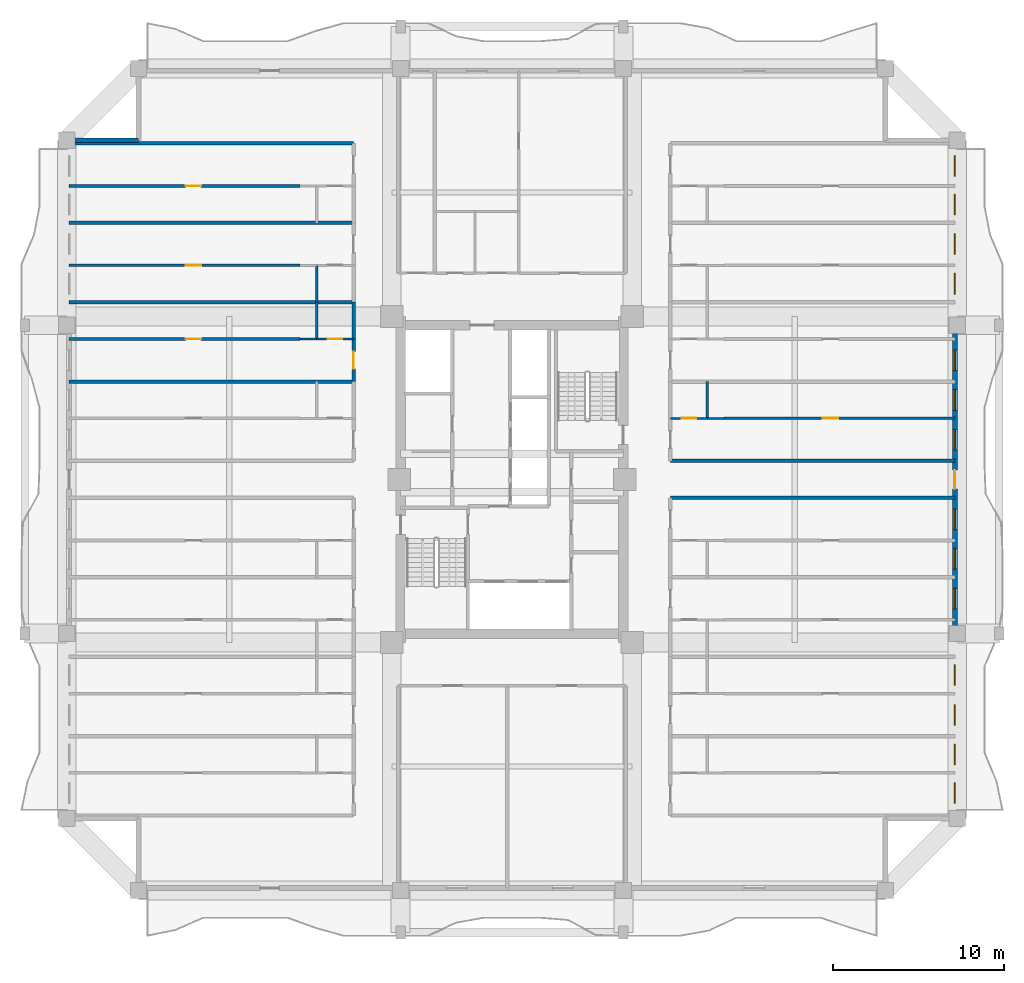
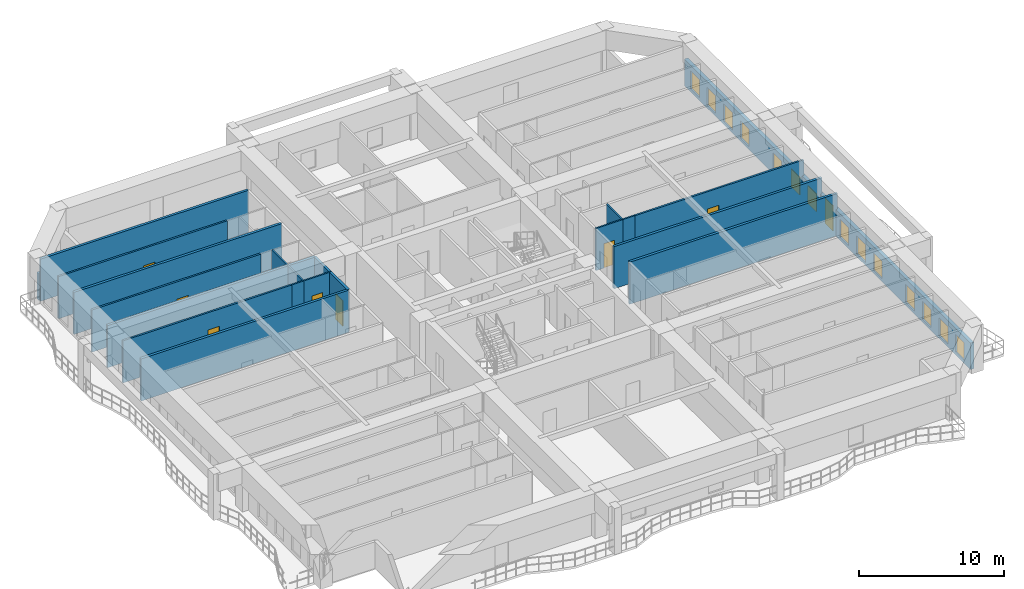
# One storey, part 6 of 13: 21 walls, 14 windows, 8 doors, 22 openings.
"""IFC4 building model written with IfcOpenShell, lengths in metres."""

from ifc_helpers import new_model, si_unit, direction, frame, frame_2d, origin, place, context, subcontext, project, spatial, rectangle, extrude, source, transform, mapped, material, layer, layer_set, type_object, element, fill, save


model = new_model("IFC4")

# Units and contexts
model_context = context("Model", 3, precision=1e-05, world=origin(), true_north=direction((0.0, 1.0)))
body_context = subcontext(model_context, "Body", "Model", "MODEL_VIEW")
ifc_project = project(units=[si_unit("LENGTHUNIT", "METRE"), si_unit("AREAUNIT", "SQUARE_METRE"), si_unit("VOLUMEUNIT", "CUBIC_METRE"), si_unit("PLANEANGLEUNIT", "RADIAN"), si_unit("MASSUNIT", "GRAM", prefix="KILO")], contexts=[model_context])

# Site, building, storey
site_placement = place(None, origin())
site = spatial("IfcSite", under=ifc_project, at=site_placement, CompositionType="ELEMENT")
building_placement = place(site_placement, origin())
building = spatial("IfcBuilding", under=site, at=building_placement, Name="Saelheon Loggia Tower", CompositionType="ELEMENT")
storey_placement = place(building_placement, frame((0.0, 0.0, 122.85009765625)))
storey = spatial("IfcBuildingStorey", under=building, at=storey_placement, Name="L39", CompositionType="ELEMENT", Elevation=122.85009765625)

# Wall, openings, windows, door
ifc_material_1 = material(Name="Architectural Precast Concrete C40/50", Category="concrete")
ifc_layer_1 = layer(ifc_material_1, 0.280029296875)
ifc_layer_set_1 = layer_set([ifc_layer_1], Name="Architectural Precast Concrete C40/50")
wall_type_1 = type_object("IfcWallType", Name="Wall_Ext_Loggia_280", PredefinedType="SOLIDWALL", material=ifc_layer_set_1)
wall_1_placement = place(storey_placement, frame((63.860107421875, 7.199951171875, 0.0), z_axis=(0.0, 0.0, 1.0), x_axis=(0.0, 1.0, 0.0)))
wall_1 = element("IfcWall", 1, at=wall_1_placement, inside=storey, type_object=wall_type_1, Name="L39 East Loggia Inner Wall", PredefinedType="SOLIDWALL", context=body_context, shape_type="SweptSolid", body=[
    extrude(rectangle(XDim=39.60009765625, YDim=0.280029296875, at=frame_2d((19.800048828125, 0.0))), origin(), (0.0, 0.0, 1.0), 2.239990234375),
])
opening_1_placement = place(wall_1_placement, frame((0.889892578125, 0.0, 0.25)))
opening_1 = element("IfcOpeningElement", 2, at=opening_1_placement, cuts=wall_1, Name="Opening WN-03", PredefinedType="OPENING", context=body_context, shape_type="SweptSolid", body=[
    extrude(rectangle(XDim=1.199951171875, YDim=1.5, at=frame_2d((0.60009765625, 0.75))), frame((0.0, 0.152099609375, 0.0), z_axis=(0.0, -1.0, 0.0), x_axis=(1.0, 0.0, 0.0)), (0.0, 0.0, 1.0), 0.303955078125),
])
opening_2_placement = place(wall_1_placement, frame((3.139892578125, 0.0, 0.25)))
opening_2 = element("IfcOpeningElement", 3, at=opening_2_placement, cuts=wall_1, Name="Opening WN-03", PredefinedType="OPENING", context=body_context, shape_type="SweptSolid", body=[
    extrude(rectangle(XDim=1.199951171875, YDim=1.5, at=frame_2d((0.60009765625, 0.75))), frame((0.0, 0.152099609375, 0.0), z_axis=(0.0, -1.0, 0.0), x_axis=(1.0, 0.0, 0.0)), (0.0, 0.0, 1.0), 0.303955078125),
])
opening_3_placement = place(wall_1_placement, frame((5.45751953125, 0.0, 0.25)))
opening_3 = element("IfcOpeningElement", 4, at=opening_3_placement, cuts=wall_1, Name="Opening WN-03", PredefinedType="OPENING", context=body_context, shape_type="SweptSolid", body=[
    extrude(rectangle(XDim=1.199951171875, YDim=1.5, at=frame_2d((0.60009765625, 0.75))), frame((0.0, 0.152099609375, 0.0), z_axis=(0.0, -1.0, 0.0), x_axis=(1.0, 0.0, 0.0)), (0.0, 0.0, 1.0), 0.303955078125),
])
opening_4_placement = place(wall_1_placement, frame((7.77490234375, 0.0, 0.25)))
opening_4 = element("IfcOpeningElement", 5, at=opening_4_placement, cuts=wall_1, Name="Opening WN-03", PredefinedType="OPENING", context=body_context, shape_type="SweptSolid", body=[
    extrude(rectangle(XDim=1.199951171875, YDim=1.5, at=frame_2d((0.60009765625, 0.75))), frame((0.0, 0.152099609375, 0.0), z_axis=(0.0, -1.0, 0.0), x_axis=(1.0, 0.0, 0.0)), (0.0, 0.0, 1.0), 0.303955078125),
])
opening_5_placement = place(wall_1_placement, frame((12.242431640625, 0.0, 0.25)))
opening_5 = element("IfcOpeningElement", 6, at=opening_5_placement, cuts=wall_1, Name="Opening WN-03", PredefinedType="OPENING", context=body_context, shape_type="SweptSolid", body=[
    extrude(rectangle(XDim=1.199951171875, YDim=1.5, at=frame_2d((0.60009765625, 0.75))), frame((0.0, 0.152099609375, 0.0), z_axis=(0.0, -1.0, 0.0), x_axis=(1.0, 0.0, 0.0)), (0.0, 0.0, 1.0), 0.303955078125),
])
opening_6_placement = place(wall_1_placement, frame((14.56005859375, 0.0, 0.25)))
opening_6 = element("IfcOpeningElement", 7, at=opening_6_placement, cuts=wall_1, Name="Opening WN-03", PredefinedType="OPENING", context=body_context, shape_type="SweptSolid", body=[
    extrude(rectangle(XDim=1.199951171875, YDim=1.5, at=frame_2d((0.60009765625, 0.75))), frame((0.0, 0.152099609375, 0.0), z_axis=(0.0, -1.0, 0.0), x_axis=(1.0, 0.0, 0.0)), (0.0, 0.0, 1.0), 0.303955078125),
])
opening_7_placement = place(wall_1_placement, frame((16.87744140625, 0.0, 0.25)))
opening_7 = element("IfcOpeningElement", 8, at=opening_7_placement, cuts=wall_1, Name="Opening WN-03", PredefinedType="OPENING", context=body_context, shape_type="SweptSolid", body=[
    extrude(rectangle(XDim=1.199951171875, YDim=1.5, at=frame_2d((0.60009765625, 0.75))), frame((0.0, 0.152099609375, 0.0), z_axis=(0.0, -1.0, 0.0), x_axis=(1.0, 0.0, 0.0)), (0.0, 0.0, 1.0), 0.303955078125),
])
opening_8_placement = place(wall_1_placement, frame((20.35009765625, 0.0, 0.0), z_axis=(0.0, 0.0, 1.0), x_axis=(-1.0, 0.0, 0.0)))
opening_8 = element("IfcOpeningElement", 9, at=opening_8_placement, cuts=wall_1, Name="Opening TD1", PredefinedType="OPENING", context=body_context, shape_type="SweptSolid", body=[
    extrude(rectangle(XDim=1.10009765625, YDim=2.14990234375, at=frame_2d((0.550048828125, 1.074951171875))), frame((0.0, 0.152099609375, 0.0), z_axis=(0.0, -1.0, 0.0), x_axis=(1.0, 0.0, 0.0)), (0.0, 0.0, 1.0), 0.303955078125),
])
opening_9_placement = place(wall_1_placement, frame((21.5224609375, 0.0, 0.25)))
opening_9 = element("IfcOpeningElement", 10, at=opening_9_placement, cuts=wall_1, Name="Opening WN-03", PredefinedType="OPENING", context=body_context, shape_type="SweptSolid", body=[
    extrude(rectangle(XDim=1.199951171875, YDim=1.5, at=frame_2d((0.60009765625, 0.75))), frame((0.0, 0.152099609375, 0.0), z_axis=(0.0, -1.0, 0.0), x_axis=(1.0, 0.0, 0.0)), (0.0, 0.0, 1.0), 0.303955078125),
])
opening_10_placement = place(wall_1_placement, frame((23.840087890625, 0.0, 0.25)))
opening_10 = element("IfcOpeningElement", 11, at=opening_10_placement, cuts=wall_1, Name="Opening WN-03", PredefinedType="OPENING", context=body_context, shape_type="SweptSolid", body=[
    extrude(rectangle(XDim=1.199951171875, YDim=1.5, at=frame_2d((0.60009765625, 0.75))), frame((0.0, 0.152099609375, 0.0), z_axis=(0.0, -1.0, 0.0), x_axis=(1.0, 0.0, 0.0)), (0.0, 0.0, 1.0), 0.303955078125),
])
opening_11_placement = place(wall_1_placement, frame((26.157470703125, 0.0, 0.25)))
opening_11 = element("IfcOpeningElement", 12, at=opening_11_placement, cuts=wall_1, Name="Opening WN-03", PredefinedType="OPENING", context=body_context, shape_type="SweptSolid", body=[
    extrude(rectangle(XDim=1.199951171875, YDim=1.5, at=frame_2d((0.60009765625, 0.75))), frame((0.0, 0.152099609375, 0.0), z_axis=(0.0, -1.0, 0.0), x_axis=(1.0, 0.0, 0.0)), (0.0, 0.0, 1.0), 0.303955078125),
])
opening_12_placement = place(wall_1_placement, frame((30.625, 0.0, 0.25)))
opening_12 = element("IfcOpeningElement", 13, at=opening_12_placement, cuts=wall_1, Name="Opening WN-03", PredefinedType="OPENING", context=body_context, shape_type="SweptSolid", body=[
    extrude(rectangle(XDim=1.199951171875, YDim=1.5, at=frame_2d((0.60009765625, 0.75))), frame((0.0, 0.152099609375, 0.0), z_axis=(0.0, -1.0, 0.0), x_axis=(1.0, 0.0, 0.0)), (0.0, 0.0, 1.0), 0.303955078125),
])
opening_13_placement = place(wall_1_placement, frame((32.9423828125, 0.0, 0.25)))
opening_13 = element("IfcOpeningElement", 14, at=opening_13_placement, cuts=wall_1, Name="Opening WN-03", PredefinedType="OPENING", context=body_context, shape_type="SweptSolid", body=[
    extrude(rectangle(XDim=1.199951171875, YDim=1.5, at=frame_2d((0.60009765625, 0.75))), frame((0.0, 0.152099609375, 0.0), z_axis=(0.0, -1.0, 0.0), x_axis=(1.0, 0.0, 0.0)), (0.0, 0.0, 1.0), 0.303955078125),
])
opening_14_placement = place(wall_1_placement, frame((35.260009765625, 0.0, 0.25)))
opening_14 = element("IfcOpeningElement", 15, at=opening_14_placement, cuts=wall_1, Name="Opening WN-03", PredefinedType="OPENING", context=body_context, shape_type="SweptSolid", body=[
    extrude(rectangle(XDim=1.199951171875, YDim=1.5, at=frame_2d((0.60009765625, 0.75))), frame((0.0, 0.152099609375, 0.0), z_axis=(0.0, -1.0, 0.0), x_axis=(1.0, 0.0, 0.0)), (0.0, 0.0, 1.0), 0.303955078125),
])
opening_15_placement = place(wall_1_placement, frame((37.510009765625, 0.0, 0.25)))
opening_15 = element("IfcOpeningElement", 16, at=opening_15_placement, cuts=wall_1, Name="Opening WN-03", PredefinedType="OPENING", context=body_context, shape_type="SweptSolid", body=[
    extrude(rectangle(XDim=1.199951171875, YDim=1.5, at=frame_2d((0.60009765625, 0.75))), frame((0.0, 0.152099609375, 0.0), z_axis=(0.0, -1.0, 0.0), x_axis=(1.0, 0.0, 0.0)), (0.0, 0.0, 1.0), 0.303955078125),
])
ifc_material_2 = material(Name="Thermal-Break Aluminium and Triple Low-E Glass", Category="aluminium")
window_type = type_object("IfcWindowType", Name="Win_Bedroom_1200x1500", PartitioningType="SINGLE_PANEL", PredefinedType="WINDOW", material=ifc_material_2)
shared_shape_1 = source(origin(), body_context, "Body", "SweptSolid", [
    extrude(rectangle(XDim=1.199951171875, YDim=1.5, at=frame_2d((0.60009765625, 0.75))), frame((0.0, 0.030029296875, 0.0), z_axis=(0.0, -1.0, 0.0), x_axis=(1.0, 0.0, 0.0)), (0.0, 0.0, 1.0), 0.06005859375),
])
window_1_placement = place(opening_1_placement, origin())
window_1 = element("IfcWindow", 17, at=window_1_placement, inside=storey, type_object=window_type, Name="L39 E Dwelling Window 1", OverallHeight=1.5, OverallWidth=1.199951171875, PartitioningType="SINGLE_PANEL", PredefinedType="WINDOW", context=body_context, shape_type="MappedRepresentation", body=[
    mapped(shared_shape_1, transform((0.0, 0.0, 0.0), scale=1.0)),
])
fill(opening_1, window_1)
window_2_placement = place(opening_2_placement, origin())
window_2 = element("IfcWindow", 18, at=window_2_placement, inside=storey, type_object=window_type, Name="L39 E Dwelling Window 2", OverallHeight=1.5, OverallWidth=1.199951171875, PartitioningType="SINGLE_PANEL", PredefinedType="WINDOW", context=body_context, shape_type="MappedRepresentation", body=[
    mapped(shared_shape_1, transform((0.0, 0.0, 0.0), scale=1.0)),
])
fill(opening_2, window_2)
window_3_placement = place(opening_3_placement, origin())
window_3 = element("IfcWindow", 19, at=window_3_placement, inside=storey, type_object=window_type, Name="L39 E Dwelling Window 3", OverallHeight=1.5, OverallWidth=1.199951171875, PartitioningType="SINGLE_PANEL", PredefinedType="WINDOW", context=body_context, shape_type="MappedRepresentation", body=[
    mapped(shared_shape_1, transform((0.0, 0.0, 0.0), scale=1.0)),
])
fill(opening_3, window_3)
window_4_placement = place(opening_4_placement, origin())
window_4 = element("IfcWindow", 20, at=window_4_placement, inside=storey, type_object=window_type, Name="L39 E Dwelling Window 4", OverallHeight=1.5, OverallWidth=1.199951171875, PartitioningType="SINGLE_PANEL", PredefinedType="WINDOW", context=body_context, shape_type="MappedRepresentation", body=[
    mapped(shared_shape_1, transform((0.0, 0.0, 0.0), scale=1.0)),
])
fill(opening_4, window_4)
window_5_placement = place(opening_5_placement, origin())
window_5 = element("IfcWindow", 21, at=window_5_placement, inside=storey, type_object=window_type, Name="L39 E Dwelling Window 5", OverallHeight=1.5, OverallWidth=1.199951171875, PartitioningType="SINGLE_PANEL", PredefinedType="WINDOW", context=body_context, shape_type="MappedRepresentation", body=[
    mapped(shared_shape_1, transform((0.0, 0.0, 0.0), scale=1.0)),
])
fill(opening_5, window_5)
window_6_placement = place(opening_6_placement, origin())
window_6 = element("IfcWindow", 22, at=window_6_placement, inside=storey, type_object=window_type, Name="L39 E Dwelling Window 6", OverallHeight=1.5, OverallWidth=1.199951171875, PartitioningType="SINGLE_PANEL", PredefinedType="WINDOW", context=body_context, shape_type="MappedRepresentation", body=[
    mapped(shared_shape_1, transform((0.0, 0.0, 0.0), scale=1.0)),
])
fill(opening_6, window_6)
window_7_placement = place(opening_7_placement, origin())
window_7 = element("IfcWindow", 23, at=window_7_placement, inside=storey, type_object=window_type, Name="L39 E Dwelling Window 7", OverallHeight=1.5, OverallWidth=1.199951171875, PartitioningType="SINGLE_PANEL", PredefinedType="WINDOW", context=body_context, shape_type="MappedRepresentation", body=[
    mapped(shared_shape_1, transform((0.0, 0.0, 0.0), scale=1.0)),
])
fill(opening_7, window_7)
window_8_placement = place(opening_9_placement, origin())
window_8 = element("IfcWindow", 24, at=window_8_placement, inside=storey, type_object=window_type, Name="L39 E Dwelling Window 9", OverallHeight=1.5, OverallWidth=1.199951171875, PartitioningType="SINGLE_PANEL", PredefinedType="WINDOW", context=body_context, shape_type="MappedRepresentation", body=[
    mapped(shared_shape_1, transform((0.0, 0.0, 0.0), scale=1.0)),
])
fill(opening_9, window_8)
window_9_placement = place(opening_10_placement, origin())
window_9 = element("IfcWindow", 25, at=window_9_placement, inside=storey, type_object=window_type, Name="L39 E Dwelling Window 10", OverallHeight=1.5, OverallWidth=1.199951171875, PartitioningType="SINGLE_PANEL", PredefinedType="WINDOW", context=body_context, shape_type="MappedRepresentation", body=[
    mapped(shared_shape_1, transform((0.0, 0.0, 0.0), scale=1.0)),
])
fill(opening_10, window_9)
window_10_placement = place(opening_11_placement, origin())
window_10 = element("IfcWindow", 26, at=window_10_placement, inside=storey, type_object=window_type, Name="L39 E Dwelling Window 11", OverallHeight=1.5, OverallWidth=1.199951171875, PartitioningType="SINGLE_PANEL", PredefinedType="WINDOW", context=body_context, shape_type="MappedRepresentation", body=[
    mapped(shared_shape_1, transform((0.0, 0.0, 0.0), scale=1.0)),
])
fill(opening_11, window_10)
window_11_placement = place(opening_12_placement, origin())
window_11 = element("IfcWindow", 27, at=window_11_placement, inside=storey, type_object=window_type, Name="L39 E Dwelling Window 12", OverallHeight=1.5, OverallWidth=1.199951171875, PartitioningType="SINGLE_PANEL", PredefinedType="WINDOW", context=body_context, shape_type="MappedRepresentation", body=[
    mapped(shared_shape_1, transform((0.0, 0.0, 0.0), scale=1.0)),
])
fill(opening_12, window_11)
window_12_placement = place(opening_13_placement, origin())
window_12 = element("IfcWindow", 28, at=window_12_placement, inside=storey, type_object=window_type, Name="L39 E Dwelling Window 13", OverallHeight=1.5, OverallWidth=1.199951171875, PartitioningType="SINGLE_PANEL", PredefinedType="WINDOW", context=body_context, shape_type="MappedRepresentation", body=[
    mapped(shared_shape_1, transform((0.0, 0.0, 0.0), scale=1.0)),
])
fill(opening_13, window_12)
window_13_placement = place(opening_14_placement, origin())
window_13 = element("IfcWindow", 29, at=window_13_placement, inside=storey, type_object=window_type, Name="L39 E Dwelling Window 14", OverallHeight=1.5, OverallWidth=1.199951171875, PartitioningType="SINGLE_PANEL", PredefinedType="WINDOW", context=body_context, shape_type="MappedRepresentation", body=[
    mapped(shared_shape_1, transform((0.0, 0.0, 0.0), scale=1.0)),
])
fill(opening_14, window_13)
window_14_placement = place(opening_15_placement, origin())
window_14 = element("IfcWindow", 30, at=window_14_placement, inside=storey, type_object=window_type, Name="L39 E Dwelling Window 15", OverallHeight=1.5, OverallWidth=1.199951171875, PartitioningType="SINGLE_PANEL", PredefinedType="WINDOW", context=body_context, shape_type="MappedRepresentation", body=[
    mapped(shared_shape_1, transform((0.0, 0.0, 0.0), scale=1.0)),
])
fill(opening_15, window_14)
ifc_material_3 = material(Name="Thermal-Break Aluminium Glazed Door", Category="aluminium")
door_type_1 = type_object("IfcDoorType", Name="Door_Terrace_TD1", OperationType="NOTDEFINED", PredefinedType="DOOR", material=ifc_material_3)
shared_shape_2 = source(origin(), body_context, "Body", "SweptSolid", [
    extrude(rectangle(XDim=1.10009765625, YDim=2.14990234375, at=frame_2d((0.550048828125, 1.074951171875))), frame((0.0, 0.02490234375, 0.0), z_axis=(0.0, -1.0, 0.0), x_axis=(1.0, 0.0, 0.0)), (0.0, 0.0, 1.0), 0.050048828125),
])
door_1_placement = place(opening_8_placement, origin())
door_1 = element("IfcDoor", 31, at=door_1_placement, inside=storey, type_object=door_type_1, Name="L39 E Loggia Access Door", OperationType="SINGLE_SWING_RIGHT", OverallHeight=2.14990234375, OverallWidth=1.10009765625, PredefinedType="DOOR", context=body_context, shape_type="MappedRepresentation", body=[
    mapped(shared_shape_2, transform((0.0, 0.0, 0.0), scale=1.0)),
])
fill(opening_8, door_1)

# Wall
wall_2_placement = place(storey_placement, frame((12.080078125, 46.800048828125, 0.0), z_axis=(0.0, 0.0, 1.0), x_axis=(1.0, 0.0, 0.0)))
element("IfcWall", 32, at=wall_2_placement, inside=storey, type_object=wall_type_1, Name="L39 Corner Notch Precast Wall NW2", PredefinedType="SOLIDWALL", context=body_context, shape_type="SweptSolid", body=[
    extrude(rectangle(XDim=4.119873046875, YDim=0.280029296875, at=frame_2d((2.06005859375, 0.0))), origin(), (0.0, 0.0, 1.0), 2.239990234375),
])

# Wall, opening, door
ifc_material_4 = material(Name="Lightweight Autoclaved Aerated Concrete Block and Acoustic Gypsum", Category="concrete")
ifc_layer_2 = layer(ifc_material_4, 0.14990234375)
ifc_layer_set_2 = layer_set([ifc_layer_2], Name="Lightweight Autoclaved Aerated Concrete Block and Acoustic Gypsum")
wall_type_2 = type_object("IfcWallType", Name="Wall_Part_150", PredefinedType="PARTITIONING", material=ifc_layer_set_2)
wall_3_placement = place(storey_placement, frame((25.6298828125, 35.199951171875, 0.0), z_axis=(0.0, 0.0, 1.0), x_axis=(-1.0, 0.0, 0.0)))
wall_3 = element("IfcWall", 33, at=wall_3_placement, inside=storey, type_object=wall_type_2, Name="L39 WN Partition U15", PredefinedType="PARTITIONING", context=body_context, shape_type="SweptSolid", body=[
    extrude(rectangle(XDim=13.47998046875, YDim=0.14990234375, at=frame_2d((6.739990234375, 0.0))), origin(), (0.0, 0.0, 1.0), 3.559814453125),
])
opening_16_placement = place(wall_3_placement, frame((5.785888671875, 0.0, 0.0)))
opening_16 = element("IfcOpeningElement", 34, at=opening_16_placement, cuts=wall_3, Name="Opening D-IN2", PredefinedType="OPENING", context=body_context, shape_type="SweptSolid", body=[
    extrude(rectangle(XDim=0.89990234375, YDim=2.10009765625, at=frame_2d((0.449951171875, 1.050048828125))), frame((0.0, 0.0869140625, 0.0), z_axis=(0.0, -1.0, 0.0), x_axis=(1.0, 0.0, 0.0)), (0.0, 0.0, 1.0), 0.173828125),
])
ifc_material_5 = material(Name="Engineered Oak Flush Door", Category="timber")
door_type_2 = type_object("IfcDoorType", Name="Door_Int_900", OperationType="NOTDEFINED", PredefinedType="DOOR", material=ifc_material_5)
shared_shape_3 = source(origin(), body_context, "Body", "SweptSolid", [
    extrude(rectangle(XDim=0.89990234375, YDim=2.10009765625, at=frame_2d((0.449951171875, 1.050048828125))), frame((0.0, 0.02490234375, 0.0), z_axis=(0.0, -1.0, 0.0), x_axis=(1.0, 0.0, 0.0)), (0.0, 0.0, 1.0), 0.050048828125),
])
door_2_placement = place(opening_16_placement, origin())
door_2 = element("IfcDoor", 35, at=door_2_placement, inside=storey, type_object=door_type_2, Name="Unit U06 Kitchen Door", OperationType="SINGLE_SWING_LEFT", OverallHeight=2.10009765625, OverallWidth=0.89990234375, PredefinedType="DOOR", context=body_context, shape_type="MappedRepresentation", body=[
    mapped(shared_shape_3, transform((0.0, 0.0, 0.0), scale=1.0)),
])
fill(opening_16, door_2)

wall_4_placement = place(storey_placement, frame((25.6298828125, 39.5, 0.0), z_axis=(0.0, 0.0, 1.0), x_axis=(-1.0, 0.0, 0.0)))
wall_4 = element("IfcWall", 36, at=wall_4_placement, inside=storey, type_object=wall_type_2, Name="L39 WN Partition U22", PredefinedType="PARTITIONING", context=body_context, shape_type="SweptSolid", body=[
    extrude(rectangle(XDim=13.47998046875, YDim=0.14990234375, at=frame_2d((6.739990234375, 0.0))), origin(), (0.0, 0.0, 1.0), 3.559814453125),
])
opening_17_placement = place(wall_4_placement, frame((5.785888671875, 0.0, 0.0)))
opening_17 = element("IfcOpeningElement", 37, at=opening_17_placement, cuts=wall_4, Name="Opening D-IN2", PredefinedType="OPENING", context=body_context, shape_type="SweptSolid", body=[
    extrude(rectangle(XDim=0.89990234375, YDim=2.10009765625, at=frame_2d((0.449951171875, 1.050048828125))), frame((0.0, 0.0869140625, 0.0), z_axis=(0.0, -1.0, 0.0), x_axis=(1.0, 0.0, 0.0)), (0.0, 0.0, 1.0), 0.173828125),
])
door_3_placement = place(opening_17_placement, origin())
door_3 = element("IfcDoor", 38, at=door_3_placement, inside=storey, type_object=door_type_2, Name="Unit U07 Kitchen Door", OperationType="SINGLE_SWING_RIGHT", OverallHeight=2.10009765625, OverallWidth=0.89990234375, PredefinedType="DOOR", context=body_context, shape_type="MappedRepresentation", body=[
    mapped(shared_shape_3, transform((0.0, 0.0, 0.0), scale=1.0)),
])
fill(opening_17, door_3)

wall_5_placement = place(storey_placement, frame((25.6298828125, 44.135009765625, 0.0), z_axis=(0.0, 0.0, 1.0), x_axis=(-1.0, 0.0, 0.0)))
wall_5 = element("IfcWall", 39, at=wall_5_placement, inside=storey, type_object=wall_type_2, Name="L39 WN Partition U29", PredefinedType="PARTITIONING", context=body_context, shape_type="SweptSolid", body=[
    extrude(rectangle(XDim=13.47998046875, YDim=0.14990234375, at=frame_2d((6.739990234375, 0.0))), origin(), (0.0, 0.0, 1.0), 3.559814453125),
])
opening_18_placement = place(wall_5_placement, frame((5.785888671875, 0.0, 0.0)))
opening_18 = element("IfcOpeningElement", 40, at=opening_18_placement, cuts=wall_5, Name="Opening D-IN2", PredefinedType="OPENING", context=body_context, shape_type="SweptSolid", body=[
    extrude(rectangle(XDim=0.89990234375, YDim=2.10009765625, at=frame_2d((0.449951171875, 1.050048828125))), frame((0.0, 0.0869140625, 0.0), z_axis=(0.0, -1.0, 0.0), x_axis=(1.0, 0.0, 0.0)), (0.0, 0.0, 1.0), 0.173828125),
])
door_4_placement = place(opening_18_placement, origin())
door_4 = element("IfcDoor", 41, at=door_4_placement, inside=storey, type_object=door_type_2, Name="Unit U08 Kitchen Door", OperationType="SINGLE_SWING_LEFT", OverallHeight=2.10009765625, OverallWidth=0.89990234375, PredefinedType="DOOR", context=body_context, shape_type="MappedRepresentation", body=[
    mapped(shared_shape_3, transform((0.0, 0.0, 0.0), scale=1.0)),
])
fill(opening_18, door_4)

wall_6_placement = place(storey_placement, frame((50.3701171875, 30.56494140625, 0.0), z_axis=(0.0, 0.0, 1.0), x_axis=(1.0, 0.0, 0.0)))
wall_6 = element("IfcWall", 42, at=wall_6_placement, inside=storey, type_object=wall_type_2, Name="L39 EN Partition U08", PredefinedType="PARTITIONING", context=body_context, shape_type="SweptSolid", body=[
    extrude(rectangle(XDim=13.47998046875, YDim=0.14990234375, at=frame_2d((6.739990234375, 0.0))), origin(), (0.0, 0.0, 1.0), 3.559814453125),
])
opening_19_placement = place(wall_6_placement, frame((5.785888671875, 0.0, 0.0)))
opening_19 = element("IfcOpeningElement", 43, at=opening_19_placement, cuts=wall_6, Name="Opening D-IN2", PredefinedType="OPENING", context=body_context, shape_type="SweptSolid", body=[
    extrude(rectangle(XDim=0.89990234375, YDim=2.10009765625, at=frame_2d((0.449951171875, 1.050048828125))), frame((0.0, 0.0869140625, 0.0), z_axis=(0.0, -1.0, 0.0), x_axis=(1.0, 0.0, 0.0)), (0.0, 0.0, 1.0), 0.173828125),
])
door_5_placement = place(opening_19_placement, origin())
door_5 = element("IfcDoor", 44, at=door_5_placement, inside=storey, type_object=door_type_2, Name="Unit U13 Kitchen Door", OperationType="SINGLE_SWING_RIGHT", OverallHeight=2.10009765625, OverallWidth=0.89990234375, PredefinedType="DOOR", context=body_context, shape_type="MappedRepresentation", body=[
    mapped(shared_shape_3, transform((0.0, 0.0, 0.0), scale=1.0)),
])
fill(opening_19, door_5)

# Walls
ifc_material_6 = material(Name="Double Acoustic Stud and Fireboard Partition", Category="gypsum")
ifc_layer_3 = layer(ifc_material_6, 0.199951171875)
ifc_layer_set_3 = layer_set([ifc_layer_3], Name="Double Acoustic Stud and Fireboard Partition")
wall_type_3 = type_object("IfcWallType", Name="Wall_Party_200", PredefinedType="PARTITIONING", material=ifc_layer_set_3)
for number, where, z_axis, x_axis, name in (
    (45, (28.75, 46.6201171875, 0.0), (0.0, 0.0, 1.0), (-1.0, 0.0, 0.0), "L39 WN Partition U02"),
    (46, (28.75, 32.715087890625, 0.0), (0.0, 0.0, 1.0), (-1.0, 0.0, 0.0), "L39 WN Partition U09"),
):
    element("IfcWall", number, at=place(storey_placement, frame(where, z_axis=z_axis, x_axis=x_axis)), inside=storey, type_object=wall_type_3, Name=name, PredefinedType="PARTITIONING", context=body_context, shape_type="SweptSolid", body=[
        extrude(rectangle(XDim=16.60009765625, YDim=0.199951171875, at=frame_2d((8.300048828125, 0.0))), origin(), (0.0, 0.0, 1.0), 3.559814453125),
    ])

# Wall, opening, door
wall_7_placement = place(storey_placement, frame((28.75, 32.715087890625, 0.0), z_axis=(0.0, 0.0, 1.0), x_axis=(0.0, 1.0, 0.0)))
wall_7 = element("IfcWall", 47, at=wall_7_placement, inside=storey, type_object=wall_type_3, Name="L39 WN Partition V10", PredefinedType="PARTITIONING", context=body_context, shape_type="SweptSolid", body=[
    extrude(rectangle(XDim=2.48486328125, YDim=0.199951171875, at=frame_2d((1.242431640625, 0.0))), origin(), (0.0, 0.0, 1.0), 3.559814453125),
])
opening_20_placement = place(wall_7_placement, frame((0.742431640625, 0.0, 0.0)))
opening_20 = element("IfcOpeningElement", 48, at=opening_20_placement, cuts=wall_7, Name="Opening D-FD1", PredefinedType="OPENING", context=body_context, shape_type="SweptSolid", body=[
    extrude(rectangle(XDim=1.0, YDim=2.14990234375, at=frame_2d((0.5, 1.074951171875))), frame((0.0, 0.112060546875, 0.0), z_axis=(0.0, -1.0, 0.0), x_axis=(1.0, 0.0, 0.0)), (0.0, 0.0, 1.0), 0.223876953125),
])
ifc_material_7 = material(Name="Fire-Rated Engineered Timber Entrance Door", Category="wood")
door_type_3 = type_object("IfcDoorType", Name="Door_Flat_FD30S", OperationType="NOTDEFINED", PredefinedType="DOOR", material=ifc_material_7)
shared_shape_4 = source(origin(), body_context, "Body", "SweptSolid", [
    extrude(rectangle(XDim=1.0, YDim=2.14990234375, at=frame_2d((0.5, 1.074951171875))), frame((0.0, 0.02490234375, 0.0), z_axis=(0.0, -1.0, 0.0), x_axis=(1.0, 0.0, 0.0)), (0.0, 0.0, 1.0), 0.050048828125),
])
door_6_placement = place(opening_20_placement, origin())
door_6 = element("IfcDoor", 49, at=door_6_placement, inside=storey, type_object=door_type_3, Name="Unit U06 Entrance Door", OperationType="SINGLE_SWING_LEFT", OverallHeight=2.14990234375, OverallWidth=1.0, PredefinedType="DOOR", context=body_context, shape_type="MappedRepresentation", body=[
    mapped(shared_shape_4, transform((0.0, 0.0, 0.0), scale=1.0)),
])
fill(opening_20, door_6)

# Walls
wall_8_placement = place(storey_placement, frame((28.75, 35.199951171875, 0.0), z_axis=(0.0, 0.0, 1.0), x_axis=(0.0, 1.0, 0.0)))
element("IfcWall", 50, at=wall_8_placement, inside=storey, type_object=wall_type_3, Name="L39 WN Partition V11", PredefinedType="PARTITIONING", context=body_context, shape_type="SweptSolid", body=[
    extrude(rectangle(XDim=2.150146484375, YDim=0.199951171875, at=frame_2d((1.0751953125, 0.0))), origin(), (0.0, 0.0, 1.0), 3.559814453125),
])
for number, where, z_axis, x_axis, name in (
    (51, (28.75, 37.35009765625, 0.0), (0.0, 0.0, 1.0), (-1.0, 0.0, 0.0), "L39 WN Partition U16"),
    (52, (28.75, 41.985107421875, 0.0), (0.0, 0.0, 1.0), (-1.0, 0.0, 0.0), "L39 WN Partition U23"),
    (53, (47.25, 25.919921875, 0.0), (0.0, 0.0, 1.0), (1.0, 0.0, 0.0), "L39 ES Partition U02"),
    (54, (47.25, 28.080078125, 0.0), (0.0, 0.0, 1.0), (1.0, 0.0, 0.0), "L39 EN Partition U01"),
):
    element("IfcWall", number, at=place(storey_placement, frame(where, z_axis=z_axis, x_axis=x_axis)), inside=storey, type_object=wall_type_3, Name=name, PredefinedType="PARTITIONING", context=body_context, shape_type="SweptSolid", body=[
        extrude(rectangle(XDim=16.60009765625, YDim=0.199951171875, at=frame_2d((8.300048828125, 0.0))), origin(), (0.0, 0.0, 1.0), 3.559814453125),
    ])

# Wall, opening, door
ifc_material_8 = material(Name="Moisture-Resistant Cement Board Partition", Category="gypsum")
ifc_layer_4 = layer(ifc_material_8, 0.1201171875)
ifc_layer_set_4 = layer_set([ifc_layer_4], Name="Moisture-Resistant Cement Board Partition")
wall_type_4 = type_object("IfcWallType", Name="Wall_WetPart_120", PredefinedType="PARTITIONING", material=ifc_layer_set_4)
wall_9_placement = place(storey_placement, frame((28.75, 35.199951171875, 0.0), z_axis=(0.0, 0.0, 1.0), x_axis=(-1.0, 0.0, 0.0)))
wall_9 = element("IfcWall", 55, at=wall_9_placement, inside=storey, type_object=wall_type_4, Name="L39 WN Partition U12", PredefinedType="PARTITIONING", context=body_context, shape_type="SweptSolid", body=[
    extrude(rectangle(XDim=2.14990234375, YDim=0.1201171875, at=frame_2d((1.074951171875, 0.0))), origin(), (0.0, 0.0, 1.0), 3.559814453125),
])
opening_21_placement = place(wall_9_placement, frame((0.64990234375, 0.0, 0.0)))
opening_21 = element("IfcOpeningElement", 56, at=opening_21_placement, cuts=wall_9, Name="Opening D-BT1", PredefinedType="OPENING", context=body_context, shape_type="SweptSolid", body=[
    extrude(rectangle(XDim=0.85009765625, YDim=2.050048828125, at=frame_2d((0.425048828125, 1.02490234375))), frame((0.0, 0.072021484375, 0.0), z_axis=(0.0, -1.0, 0.0), x_axis=(1.0, 0.0, 0.0)), (0.0, 0.0, 1.0), 0.14404296875),
])
ifc_material_9 = material(Name="Moisture-Resistant Laminate Timber Door", Category="wood")
door_type_4 = type_object("IfcDoorType", Name="Door_Bath_850", OperationType="NOTDEFINED", PredefinedType="DOOR", material=ifc_material_9)
shared_shape_5 = source(origin(), body_context, "Body", "SweptSolid", [
    extrude(rectangle(XDim=0.85009765625, YDim=2.050048828125, at=frame_2d((0.425048828125, 1.02490234375))), frame((0.0, 0.02490234375, 0.0), z_axis=(0.0, -1.0, 0.0), x_axis=(1.0, 0.0, 0.0)), (0.0, 0.0, 1.0), 0.050048828125),
])
door_7_placement = place(opening_21_placement, origin())
door_7 = element("IfcDoor", 57, at=door_7_placement, inside=storey, type_object=door_type_4, Name="Unit U06 Bathroom Door", OperationType="SINGLE_SWING_RIGHT", OverallHeight=2.050048828125, OverallWidth=0.85009765625, PredefinedType="DOOR", context=body_context, shape_type="MappedRepresentation", body=[
    mapped(shared_shape_5, transform((0.0, 0.0, 0.0), scale=1.0)),
])
fill(opening_21, door_7)

# Walls
wall_10_placement = place(storey_placement, frame((26.60009765625, 35.199951171875, 0.0), z_axis=(0.0, 0.0, 1.0), x_axis=(-1.0, 0.0, 0.0)))
element("IfcWall", 58, at=wall_10_placement, inside=storey, type_object=wall_type_4, Name="L39 WN Partition U13", PredefinedType="PARTITIONING", context=body_context, shape_type="SweptSolid", body=[
    extrude(rectangle(XDim=0.97021484375, YDim=0.1201171875, at=frame_2d((0.485107421875, 0.0))), origin(), (0.0, 0.0, 1.0), 3.559814453125),
])
wall_11_placement = place(storey_placement, frame((26.60009765625, 35.199951171875, 0.0), z_axis=(0.0, 0.0, 1.0), x_axis=(0.0, 1.0, 0.0)))
element("IfcWall", 59, at=wall_11_placement, inside=storey, type_object=wall_type_4, Name="L39 WN Partition V14", PredefinedType="PARTITIONING", context=body_context, shape_type="SweptSolid", body=[
    extrude(rectangle(XDim=2.150146484375, YDim=0.1201171875, at=frame_2d((1.0751953125, 0.0))), origin(), (0.0, 0.0, 1.0), 3.559814453125),
])
wall_12_placement = place(storey_placement, frame((26.60009765625, 37.35009765625, 0.0), z_axis=(0.0, 0.0, 1.0), x_axis=(0.0, 1.0, 0.0)))
element("IfcWall", 60, at=wall_12_placement, inside=storey, type_object=wall_type_4, Name="L39 WN Partition V21", PredefinedType="PARTITIONING", context=body_context, shape_type="SweptSolid", body=[
    extrude(rectangle(XDim=2.14990234375, YDim=0.1201171875, at=frame_2d((1.074951171875, 0.0))), origin(), (0.0, 0.0, 1.0), 3.559814453125),
])

# Wall, opening, door
wall_13_placement = place(storey_placement, frame((47.25, 30.56494140625, 0.0), z_axis=(0.0, 0.0, 1.0), x_axis=(1.0, 0.0, 0.0)))
wall_13 = element("IfcWall", 61, at=wall_13_placement, inside=storey, type_object=wall_type_4, Name="L39 EN Partition U05", PredefinedType="PARTITIONING", context=body_context, shape_type="SweptSolid", body=[
    extrude(rectangle(XDim=2.14990234375, YDim=0.1201171875, at=frame_2d((1.074951171875, 0.0))), origin(), (0.0, 0.0, 1.0), 3.559814453125),
])
opening_22_placement = place(wall_13_placement, frame((0.64990234375, 0.0, 0.0)))
opening_22 = element("IfcOpeningElement", 62, at=opening_22_placement, cuts=wall_13, Name="Opening D-BT1", PredefinedType="OPENING", context=body_context, shape_type="SweptSolid", body=[
    extrude(rectangle(XDim=0.85009765625, YDim=2.050048828125, at=frame_2d((0.425048828125, 1.02490234375))), frame((0.0, 0.072021484375, 0.0), z_axis=(0.0, -1.0, 0.0), x_axis=(1.0, 0.0, 0.0)), (0.0, 0.0, 1.0), 0.14404296875),
])
door_8_placement = place(opening_22_placement, origin())
door_8 = element("IfcDoor", 63, at=door_8_placement, inside=storey, type_object=door_type_4, Name="Unit U13 Bathroom Door", OperationType="SINGLE_SWING_LEFT", OverallHeight=2.050048828125, OverallWidth=0.85009765625, PredefinedType="DOOR", context=body_context, shape_type="MappedRepresentation", body=[
    mapped(shared_shape_5, transform((0.0, 0.0, 0.0), scale=1.0)),
])
fill(opening_22, door_8)

# Walls
wall_14_placement = place(storey_placement, frame((49.39990234375, 30.56494140625, 0.0), z_axis=(0.0, 0.0, 1.0), x_axis=(1.0, 0.0, 0.0)))
element("IfcWall", 64, at=wall_14_placement, inside=storey, type_object=wall_type_4, Name="L39 EN Partition U06", PredefinedType="PARTITIONING", context=body_context, shape_type="SweptSolid", body=[
    extrude(rectangle(XDim=0.97021484375, YDim=0.1201171875, at=frame_2d((0.485107421875, 0.0))), origin(), (0.0, 0.0, 1.0), 3.559814453125),
])
wall_15_placement = place(storey_placement, frame((49.39990234375, 30.56494140625, 0.0), z_axis=(0.0, 0.0, 1.0), x_axis=(0.0, 1.0, 0.0)))
element("IfcWall", 65, at=wall_15_placement, inside=storey, type_object=wall_type_4, Name="L39 EN Partition V07", PredefinedType="PARTITIONING", context=body_context, shape_type="SweptSolid", body=[
    extrude(rectangle(XDim=2.150146484375, YDim=0.1201171875, at=frame_2d((1.0751953125, 0.0))), origin(), (0.0, 0.0, 1.0), 3.559814453125),
])

save(model, "model.ifc")
